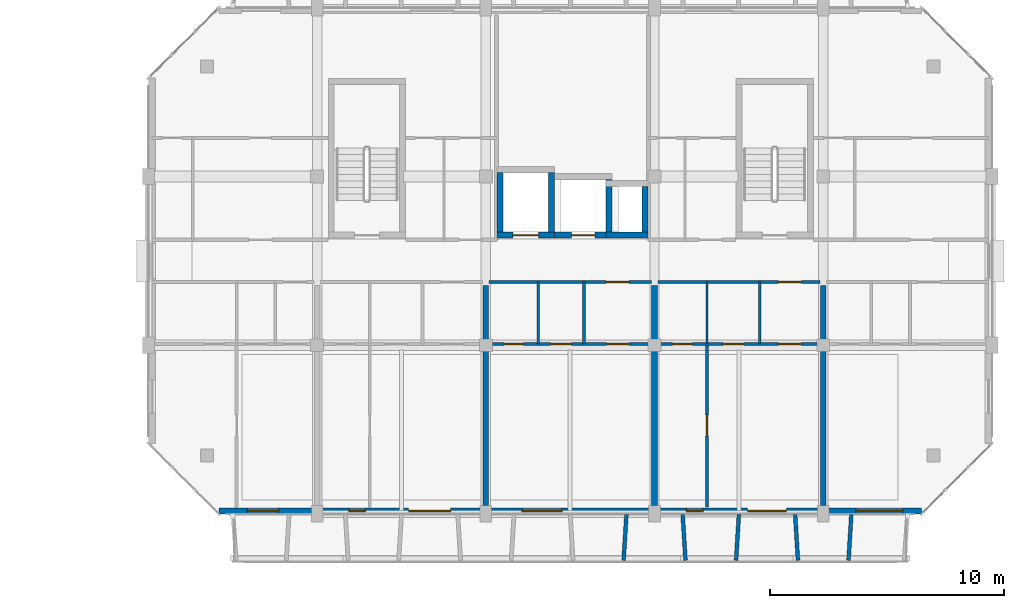
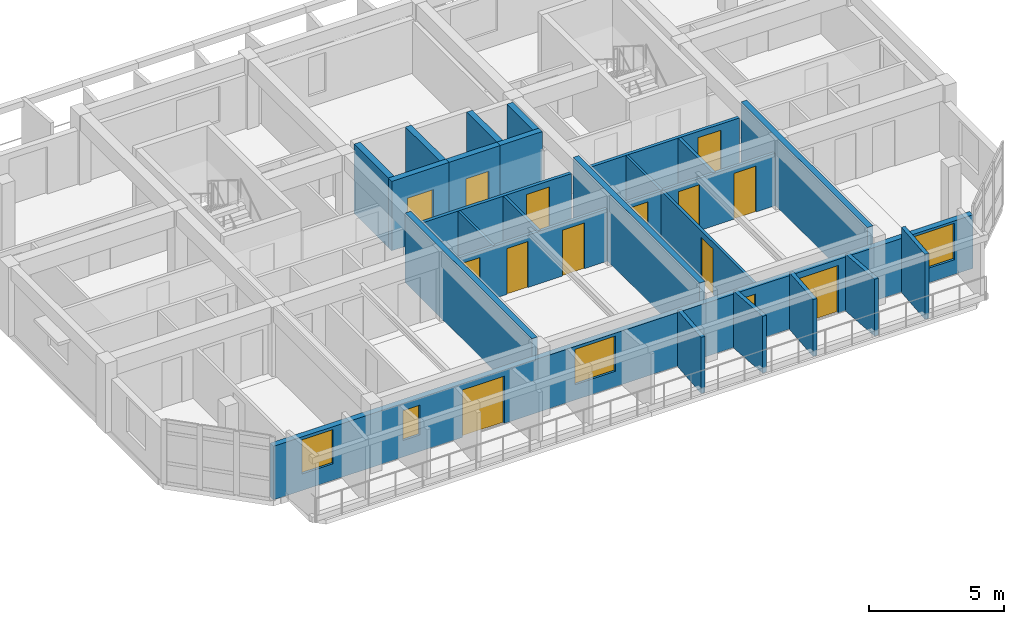
# One storey, part 30 of 51: 25 walls, 13 doors, 5 windows, 18 openings.
"""IFC4 building model written with IfcOpenShell, lengths in metres."""

from ifc_helpers import new_model, si_unit, direction, frame, frame_2d, origin, place, context, subcontext, project, spatial, rectangle, extrude, material, layer, layer_set, type_object, element, fill, save


model = new_model("IFC4")

# Units and contexts
model_context = context("Model", 3, precision=1e-05, world=origin(), true_north=direction((0.0, 1.0)))
body_context = subcontext(model_context, "Body", "Model", "MODEL_VIEW")
ifc_project = project(units=[si_unit("LENGTHUNIT", "METRE"), si_unit("AREAUNIT", "SQUARE_METRE"), si_unit("VOLUMEUNIT", "CUBIC_METRE"), si_unit("PLANEANGLEUNIT", "RADIAN"), si_unit("MASSUNIT", "GRAM", prefix="KILO")], contexts=[model_context])

# Site, building, storey
site_placement = place(None, origin())
site = spatial("IfcSite", under=ifc_project, at=site_placement, CompositionType="ELEMENT")
building_placement = place(site_placement, origin())
building = spatial("IfcBuilding", under=site, at=building_placement, Name="Ochrevale Crest", CompositionType="ELEMENT")
storey_placement = place(building_placement, frame((0.0, 0.0, 11.85009765625)))
storey = spatial("IfcBuildingStorey", under=building, at=storey_placement, Name="L03", CompositionType="ELEMENT", Elevation=11.85009765625)

# Wall, opening, door
ifc_material_1 = material(Name="Gypsum plasterboard", Category="gypsum")
ifc_layer_1 = layer(ifc_material_1, 0.139892578125)
ifc_layer_set_1 = layer_set([ifc_layer_1], Name="Gypsum plasterboard")
wall_type_1 = type_object("IfcWallType", Name="WL-COR-140", PredefinedType="PARTITIONING", material=ifc_layer_set_1)
wall_1_placement = place(storey_placement, frame((144.139892578125, 24.300048828125, 0.0), z_axis=(0.0, 0.0, 1.0), x_axis=(1.0, 0.0, 0.0)))
wall_1 = element("IfcWall", 1, at=wall_1_placement, inside=storey, type_object=wall_type_1, Name="Apartment C-L03-U3 corridor wall", PredefinedType="PARTITIONING", context=body_context, shape_type="SweptSolid", body=[
    extrude(rectangle(XDim=6.920166015625, YDim=0.139892578125, at=frame_2d((3.4599609375, 0.0))), origin(), (0.0, 0.0, 1.0), 2.3798828125),
])
opening_1_placement = place(wall_1_placement, frame((5.97509765625, 0.0, 0.0), z_axis=(0.0, 0.0, 1.0), x_axis=(-1.0, 0.0, 0.0)))
opening_1 = element("IfcOpeningElement", 2, at=opening_1_placement, cuts=wall_1, Name="Opening FD01", PredefinedType="OPENING", context=body_context, shape_type="SweptSolid", body=[
    extrude(rectangle(XDim=0.97998046875, YDim=2.10009765625, at=frame_2d((0.489990234375, 1.050048828125))), frame((0.0, 0.080078125, 0.0), z_axis=(0.0, -1.0, 0.0), x_axis=(1.0, 0.0, 0.0)), (0.0, 0.0, 1.0), 0.159912109375),
])
ifc_material_2 = material(Name="Solid-core FSC hardwood", Category="wood")
door_type_1 = type_object("IfcDoorType", Name="DR-APT-950", OperationType="NOTDEFINED", PredefinedType="DOOR", material=ifc_material_2)
door_1_placement = place(opening_1_placement, origin())
door_1 = element("IfcDoor", 3, at=door_1_placement, inside=storey, type_object=door_type_1, Name="Apartment C-L03-U3 entrance door", OperationType="SINGLE_SWING_RIGHT", OverallHeight=2.10009765625, OverallWidth=0.97998046875, PredefinedType="DOOR", context=body_context, shape_type="SweptSolid", body=[
    extrude(rectangle(XDim=0.97998046875, YDim=2.10009765625, at=frame_2d((0.489990234375, 1.050048828125))), frame((0.0, 0.02490234375, 0.0), z_axis=(0.0, -1.0, 0.0), x_axis=(1.0, 0.0, 0.0)), (0.0, 0.0, 1.0), 0.050048828125),
])
fill(opening_1, door_1)

wall_2_placement = place(storey_placement, frame((151.340087890625, 24.300048828125, 0.0), z_axis=(0.0, 0.0, 1.0), x_axis=(1.0, 0.0, 0.0)))
wall_2 = element("IfcWall", 4, at=wall_2_placement, inside=storey, type_object=wall_type_1, Name="Apartment C-L03-U4 corridor wall", PredefinedType="PARTITIONING", context=body_context, shape_type="SweptSolid", body=[
    extrude(rectangle(XDim=6.919921875, YDim=0.139892578125, at=frame_2d((3.4599609375, 0.0))), origin(), (0.0, 0.0, 1.0), 2.3798828125),
])
opening_2_placement = place(wall_2_placement, frame((6.125, 0.0, 0.0), z_axis=(0.0, 0.0, 1.0), x_axis=(-1.0, 0.0, 0.0)))
opening_2 = element("IfcOpeningElement", 5, at=opening_2_placement, cuts=wall_2, Name="Opening FD01", PredefinedType="OPENING", context=body_context, shape_type="SweptSolid", body=[
    extrude(rectangle(XDim=0.97998046875, YDim=2.10009765625, at=frame_2d((0.489990234375, 1.050048828125))), frame((0.0, 0.080078125, 0.0), z_axis=(0.0, -1.0, 0.0), x_axis=(1.0, 0.0, 0.0)), (0.0, 0.0, 1.0), 0.159912109375),
])
door_2_placement = place(opening_2_placement, origin())
door_2 = element("IfcDoor", 6, at=door_2_placement, inside=storey, type_object=door_type_1, Name="Apartment C-L03-U4 entrance door", OperationType="SINGLE_SWING_RIGHT", OverallHeight=2.10009765625, OverallWidth=0.97998046875, PredefinedType="DOOR", context=body_context, shape_type="SweptSolid", body=[
    extrude(rectangle(XDim=0.97998046875, YDim=2.10009765625, at=frame_2d((0.489990234375, 1.050048828125))), frame((0.0, 0.02490234375, 0.0), z_axis=(0.0, -1.0, 0.0), x_axis=(1.0, 0.0, 0.0)), (0.0, 0.0, 1.0), 0.050048828125),
])
fill(opening_2, door_2)

ifc_material_3 = material(Name="Precast concrete C50/60", Category="concrete")
ifc_layer_2 = layer(ifc_material_3, 0.2548828125)
ifc_layer_set_2 = layer_set([ifc_layer_2], Name="Precast concrete C50/60")
wall_type_2 = type_object("IfcWallType", Name="WL-CORE-255", PredefinedType="SHEAR", material=ifc_layer_set_2)
wall_3_placement = place(storey_placement, frame((144.472412109375, 26.300048828125, 0.0), z_axis=(0.0, 0.0, 1.0), x_axis=(1.0, 0.0, 0.0)))
wall_3 = element("IfcWall", 7, at=wall_3_placement, inside=storey, type_object=wall_type_2, Name="Block C L03 Lift 1 precast shaft shear wall S", PredefinedType="SHEAR", context=body_context, shape_type="SweptSolid", body=[
    extrude(rectangle(XDim=2.455078125, YDim=0.2548828125, at=frame_2d((1.2275390625, 0.0))), origin(), (0.0, 0.0, 1.0), 3.14990234375),
])
opening_3_placement = place(wall_3_placement, frame((0.677490234375, 0.0, 0.0)))
opening_3 = element("IfcOpeningElement", 8, at=opening_3_placement, cuts=wall_3, Name="Opening LD01", PredefinedType="OPENING", context=body_context, shape_type="SweptSolid", body=[
    extrude(rectangle(XDim=1.10009765625, YDim=2.14990234375, at=frame_2d((0.550048828125, 1.074951171875))), frame((0.0, 0.137451171875, 0.0), z_axis=(0.0, -1.0, 0.0), x_axis=(1.0, 0.0, 0.0)), (0.0, 0.0, 1.0), 0.27490234375),
])
door_type_2 = type_object("IfcDoorType", Name="DR-LIFT-1100", OperationType="NOTDEFINED", PredefinedType="DOOR", material=ifc_material_2)
door_3_placement = place(opening_3_placement, origin())
door_3 = element("IfcDoor", 9, at=door_3_placement, inside=storey, type_object=door_type_2, Name="Lift LF-C1 L03 sliding landing door", OperationType="SLIDING_TO_LEFT", OverallHeight=2.14990234375, OverallWidth=1.10009765625, PredefinedType="DOOR", context=body_context, shape_type="SweptSolid", body=[
    extrude(rectangle(XDim=1.10009765625, YDim=2.14990234375, at=frame_2d((0.550048828125, 1.074951171875))), frame((0.0, 0.02490234375, 0.0), z_axis=(0.0, -1.0, 0.0), x_axis=(1.0, 0.0, 0.0)), (0.0, 0.0, 1.0), 0.050048828125),
])
fill(opening_3, door_3)

# Walls
for number, where, z_axis, x_axis, name in (
    (10, (144.60009765625, 26.427490234375, 0.0), (0.0, 0.0, 1.0), (0.0, 1.0, 0.0), "Block C L03 Lift 1 precast shaft shear wall W"),
    (11, (146.800048828125, 26.427490234375, 0.0), (0.0, 0.0, 1.0), (0.0, 1.0, 0.0), "Block C L03 Lift 1 precast shaft shear wall E"),
):
    element("IfcWall", number, at=place(storey_placement, frame(where, z_axis=z_axis, x_axis=x_axis)), inside=storey, type_object=wall_type_2, Name=name, PredefinedType="SHEAR", context=body_context, shape_type="SweptSolid", body=[
        extrude(rectangle(XDim=2.544921875, YDim=0.2548828125, at=frame_2d((1.2724609375, 0.0))), origin(), (0.0, 0.0, 1.0), 3.14990234375),
    ])

# Wall, opening, door
wall_4_placement = place(storey_placement, frame((146.922607421875, 26.300048828125, 0.0), z_axis=(0.0, 0.0, 1.0), x_axis=(1.0, 0.0, 0.0)))
wall_4 = element("IfcWall", 12, at=wall_4_placement, inside=storey, type_object=wall_type_2, Name="Block C L03 Lift 2 precast shaft shear wall S", PredefinedType="SHEAR", context=body_context, shape_type="SweptSolid", body=[
    extrude(rectangle(XDim=2.454833984375, YDim=0.2548828125, at=frame_2d((1.2275390625, 0.0))), origin(), (0.0, 0.0, 1.0), 3.14990234375),
])
opening_4_placement = place(wall_4_placement, frame((0.7275390625, 0.0, 0.0)))
opening_4 = element("IfcOpeningElement", 13, at=opening_4_placement, cuts=wall_4, Name="Opening LD02", PredefinedType="OPENING", context=body_context, shape_type="SweptSolid", body=[
    extrude(rectangle(XDim=1.0, YDim=2.14990234375, at=frame_2d((0.5, 1.074951171875))), frame((0.0, 0.137451171875, 0.0), z_axis=(0.0, -1.0, 0.0), x_axis=(1.0, 0.0, 0.0)), (0.0, 0.0, 1.0), 0.27490234375),
])
door_type_3 = type_object("IfcDoorType", Name="DR-LIFT-1000", OperationType="NOTDEFINED", PredefinedType="DOOR", material=ifc_material_2)
door_4_placement = place(opening_4_placement, origin())
door_4 = element("IfcDoor", 14, at=door_4_placement, inside=storey, type_object=door_type_3, Name="Lift LP-C2 L03 sliding landing door", OperationType="SLIDING_TO_RIGHT", OverallHeight=2.14990234375, OverallWidth=1.0, PredefinedType="DOOR", context=body_context, shape_type="SweptSolid", body=[
    extrude(rectangle(XDim=1.0, YDim=2.14990234375, at=frame_2d((0.5, 1.074951171875))), frame((0.0, 0.02490234375, 0.0), z_axis=(0.0, -1.0, 0.0), x_axis=(1.0, 0.0, 0.0)), (0.0, 0.0, 1.0), 0.050048828125),
])
fill(opening_4, door_4)

# Walls
wall_5_placement = place(storey_placement, frame((149.25, 26.427490234375, 0.0), z_axis=(0.0, 0.0, 1.0), x_axis=(0.0, 1.0, 0.0)))
element("IfcWall", 15, at=wall_5_placement, inside=storey, type_object=wall_type_2, Name="Block C L03 Lift 2 precast shaft shear wall E", PredefinedType="SHEAR", context=body_context, shape_type="SweptSolid", body=[
    extrude(rectangle(XDim=2.2451171875, YDim=0.2548828125, at=frame_2d((1.12255859375, 0.0))), origin(), (0.0, 0.0, 1.0), 3.14990234375),
])
wall_6_placement = place(storey_placement, frame((149.12255859375, 26.300048828125, 0.0), z_axis=(0.0, 0.0, 1.0), x_axis=(1.0, 0.0, 0.0)))
element("IfcWall", 16, at=wall_6_placement, inside=storey, type_object=wall_type_2, Name="Block C L03 services riser shaft core wall S", PredefinedType="SHEAR", context=body_context, shape_type="SweptSolid", body=[
    extrude(rectangle(XDim=1.804931640625, YDim=0.2548828125, at=frame_2d((0.90234375, 0.0))), origin(), (0.0, 0.0, 1.0), 3.14990234375),
])
wall_7_placement = place(storey_placement, frame((150.800048828125, 26.427490234375, 0.0), z_axis=(0.0, 0.0, 1.0), x_axis=(0.0, 1.0, 0.0)))
element("IfcWall", 17, at=wall_7_placement, inside=storey, type_object=wall_type_2, Name="Block C L03 services riser shaft core wall E", PredefinedType="SHEAR", context=body_context, shape_type="SweptSolid", body=[
    extrude(rectangle(XDim=1.945068359375, YDim=0.2548828125, at=frame_2d((0.97265625, 0.0))), origin(), (0.0, 0.0, 1.0), 3.14990234375),
])

# Wall, openings, doors, windows
ifc_material_4 = material(Name="Precast concrete C40/50", Category="concrete")
ifc_layer_3 = layer(ifc_material_4, 0.25)
ifc_layer_set_3 = layer_set([ifc_layer_3], Name="Precast concrete C40/50")
wall_type_3 = type_object("IfcWallType", Name="WL-EXT-GOLD-250", PredefinedType="SOLIDWALL", material=ifc_layer_set_3)
wall_8_placement = place(storey_placement, frame((132.60009765625, 14.52490234375, 0.0), z_axis=(0.0, 0.0, 1.0), x_axis=(1.0, 0.0, 0.0)))
wall_8 = element("IfcWall", 18, at=wall_8_placement, inside=storey, type_object=wall_type_3, Name="Block C L03 external facade wall E1", PredefinedType="SOLIDWALL", context=body_context, shape_type="SweptSolid", body=[
    extrude(rectangle(XDim=30.0, YDim=0.25, at=frame_2d((15.0, 0.0))), origin(), (0.0, 0.0, 1.0), 2.429931640625),
])
opening_5_placement = place(wall_8_placement, frame((9.900146484375, 0.0, 0.0), z_axis=(0.0, 0.0, 1.0), x_axis=(-1.0, 0.0, 0.0)))
opening_5 = element("IfcOpeningElement", 19, at=opening_5_placement, cuts=wall_8, Name="Opening BD03", PredefinedType="OPENING", context=body_context, shape_type="SweptSolid", body=[
    extrude(rectangle(XDim=1.800048828125, YDim=2.14990234375, at=frame_2d((0.89990234375, 1.074951171875))), frame((0.0, 0.135009765625, 0.0), z_axis=(0.0, -1.0, 0.0), x_axis=(1.0, 0.0, 0.0)), (0.0, 0.0, 1.0), 0.27001953125),
])
opening_6_placement = place(wall_8_placement, frame((24.224853515625, 0.0, 0.0), z_axis=(0.0, 0.0, 1.0), x_axis=(-1.0, 0.0, 0.0)))
opening_6 = element("IfcOpeningElement", 20, at=opening_6_placement, cuts=wall_8, Name="Opening BD02", PredefinedType="OPENING", context=body_context, shape_type="SweptSolid", body=[
    extrude(rectangle(XDim=1.64990234375, YDim=2.14990234375, at=frame_2d((0.824951171875, 1.074951171875))), frame((0.0, 0.135009765625, 0.0), z_axis=(0.0, -1.0, 0.0), x_axis=(1.0, 0.0, 0.0)), (0.0, 0.0, 1.0), 0.27001953125),
])
opening_7_placement = place(wall_8_placement, frame((1.215087890625, 0.0, 0.75)))
opening_7 = element("IfcOpeningElement", 21, at=opening_7_placement, cuts=wall_8, Name="Opening W07", PredefinedType="OPENING", context=body_context, shape_type="SweptSolid", body=[
    extrude(rectangle(XDim=1.340087890625, YDim=1.550048828125, at=frame_2d((0.669921875, 0.77490234375))), frame((0.0, 0.135009765625, 0.0), z_axis=(0.0, -1.0, 0.0), x_axis=(1.0, 0.0, 0.0)), (0.0, 0.0, 1.0), 0.27001953125),
])
opening_8_placement = place(wall_8_placement, frame((5.554931640625, 0.0, 0.75)))
opening_8 = element("IfcOpeningElement", 22, at=opening_8_placement, cuts=wall_8, Name="Opening W02", PredefinedType="OPENING", context=body_context, shape_type="SweptSolid", body=[
    extrude(rectangle(XDim=0.719970703125, YDim=1.35009765625, at=frame_2d((0.35986328125, 0.675048828125))), frame((0.0, 0.135009765625, 0.0), z_axis=(0.0, -1.0, 0.0), x_axis=(1.0, 0.0, 0.0)), (0.0, 0.0, 1.0), 0.27001953125),
])
opening_9_placement = place(wall_8_placement, frame((12.93994140625, 0.0, 0.699951171875)))
opening_9 = element("IfcOpeningElement", 23, at=opening_9_placement, cuts=wall_8, Name="Opening W10", PredefinedType="OPENING", context=body_context, shape_type="SweptSolid", body=[
    extrude(rectangle(XDim=1.719970703125, YDim=1.60009765625, at=frame_2d((0.85986328125, 0.800048828125))), frame((0.0, 0.135009765625, 0.0), z_axis=(0.0, -1.0, 0.0), x_axis=(1.0, 0.0, 0.0)), (0.0, 0.0, 1.0), 0.27001953125),
])
opening_10_placement = place(wall_8_placement, frame((19.955078125, 0.0, 0.75)))
opening_10 = element("IfcOpeningElement", 24, at=opening_10_placement, cuts=wall_8, Name="Opening W02", PredefinedType="OPENING", context=body_context, shape_type="SweptSolid", body=[
    extrude(rectangle(XDim=0.719970703125, YDim=1.35009765625, at=frame_2d((0.35986328125, 0.675048828125))), frame((0.0, 0.135009765625, 0.0), z_axis=(0.0, -1.0, 0.0), x_axis=(1.0, 0.0, 0.0)), (0.0, 0.0, 1.0), 0.27001953125),
])
opening_11_placement = place(wall_8_placement, frame((27.199951171875, 0.0, 0.669921875)))
opening_11 = element("IfcOpeningElement", 25, at=opening_11_placement, cuts=wall_8, Name="Opening W12", PredefinedType="OPENING", context=body_context, shape_type="SweptSolid", body=[
    extrude(rectangle(XDim=2.0, YDim=1.64990234375, at=frame_2d((1.0, 0.824951171875))), frame((0.0, 0.135009765625, 0.0), z_axis=(0.0, -1.0, 0.0), x_axis=(1.0, 0.0, 0.0)), (0.0, 0.0, 1.0), 0.27001953125),
])
ifc_material_5 = material(Name="Anodised aluminium 6063-T5 and toughened glass", Category="aluminium")
door_type_4 = type_object("IfcDoorType", Name="DR-BAL-1650", OperationType="NOTDEFINED", PredefinedType="DOOR", material=ifc_material_5)
door_5_placement = place(opening_6_placement, origin())
door_5 = element("IfcDoor", 26, at=door_5_placement, inside=storey, type_object=door_type_4, Name="Block C L03 balcony door S4", OperationType="SINGLE_SWING_LEFT", OverallHeight=2.14990234375, OverallWidth=1.64990234375, PredefinedType="DOOR", context=body_context, shape_type="SweptSolid", body=[
    extrude(rectangle(XDim=1.64990234375, YDim=2.14990234375, at=frame_2d((0.824951171875, 1.074951171875))), frame((0.0, 0.02490234375, 0.0), z_axis=(0.0, -1.0, 0.0), x_axis=(1.0, 0.0, 0.0)), (0.0, 0.0, 1.0), 0.050048828125),
])
fill(opening_6, door_5)
door_type_5 = type_object("IfcDoorType", Name="DR-BAL-1800", OperationType="NOTDEFINED", PredefinedType="DOOR", material=ifc_material_5)
door_6_placement = place(opening_5_placement, origin())
door_6 = element("IfcDoor", 27, at=door_6_placement, inside=storey, type_object=door_type_5, Name="Block C L03 balcony door S2", OperationType="SINGLE_SWING_RIGHT", OverallHeight=2.14990234375, OverallWidth=1.800048828125, PredefinedType="DOOR", context=body_context, shape_type="SweptSolid", body=[
    extrude(rectangle(XDim=1.800048828125, YDim=2.14990234375, at=frame_2d((0.89990234375, 1.074951171875))), frame((0.0, 0.02490234375, 0.0), z_axis=(0.0, -1.0, 0.0), x_axis=(1.0, 0.0, 0.0)), (0.0, 0.0, 1.0), 0.050048828125),
])
fill(opening_5, door_6)
ifc_material_6 = material(Name="Anodised aluminium 6063-T5 and low-E double glazing", Category="aluminium")
window_type_1 = type_object("IfcWindowType", Name="WIN-W02", PartitioningType="SINGLE_PANEL", PredefinedType="WINDOW", material=ifc_material_6)
window_1_placement = place(opening_8_placement, origin())
window_1 = element("IfcWindow", 28, at=window_1_placement, inside=storey, type_object=window_type_1, Name="Block C L03 Apartment C-L03-U2 Twin Bedroom window", OverallHeight=1.35009765625, OverallWidth=0.719970703125, PartitioningType="SINGLE_PANEL", PredefinedType="WINDOW", context=body_context, shape_type="SweptSolid", body=[
    extrude(rectangle(XDim=0.719970703125, YDim=1.35009765625, at=frame_2d((0.35986328125, 0.675048828125))), frame((0.0, 0.030029296875, 0.0), z_axis=(0.0, -1.0, 0.0), x_axis=(1.0, 0.0, 0.0)), (0.0, 0.0, 1.0), 0.06005859375),
])
fill(opening_8, window_1)
window_2_placement = place(opening_10_placement, origin())
window_2 = element("IfcWindow", 29, at=window_2_placement, inside=storey, type_object=window_type_1, Name="Block C L03 Apartment C-L03-U4 Master Bedroom window", OverallHeight=1.35009765625, OverallWidth=0.719970703125, PartitioningType="SINGLE_PANEL", PredefinedType="WINDOW", context=body_context, shape_type="SweptSolid", body=[
    extrude(rectangle(XDim=0.719970703125, YDim=1.35009765625, at=frame_2d((0.35986328125, 0.675048828125))), frame((0.0, 0.030029296875, 0.0), z_axis=(0.0, -1.0, 0.0), x_axis=(1.0, 0.0, 0.0)), (0.0, 0.0, 1.0), 0.06005859375),
])
fill(opening_10, window_2)
window_type_2 = type_object("IfcWindowType", Name="WIN-W07", PartitioningType="SINGLE_PANEL", PredefinedType="WINDOW", material=ifc_material_6)
window_3_placement = place(opening_7_placement, origin())
window_3 = element("IfcWindow", 30, at=window_3_placement, inside=storey, type_object=window_type_2, Name="Block C L03 Apartment C-L03-U1 One Bedroom Living Room window", OverallHeight=1.550048828125, OverallWidth=1.340087890625, PartitioningType="SINGLE_PANEL", PredefinedType="WINDOW", context=body_context, shape_type="SweptSolid", body=[
    extrude(rectangle(XDim=1.340087890625, YDim=1.550048828125, at=frame_2d((0.669921875, 0.77490234375))), frame((0.0, 0.030029296875, 0.0), z_axis=(0.0, -1.0, 0.0), x_axis=(1.0, 0.0, 0.0)), (0.0, 0.0, 1.0), 0.06005859375),
])
fill(opening_7, window_3)
window_type_3 = type_object("IfcWindowType", Name="WIN-W10", PartitioningType="SINGLE_PANEL", PredefinedType="WINDOW", material=ifc_material_6)
window_4_placement = place(opening_9_placement, origin())
window_4 = element("IfcWindow", 31, at=window_4_placement, inside=storey, type_object=window_type_3, Name="Block C L03 Studio C-L03-U3 Living Room window", OverallHeight=1.60009765625, OverallWidth=1.719970703125, PartitioningType="SINGLE_PANEL", PredefinedType="WINDOW", context=body_context, shape_type="SweptSolid", body=[
    extrude(rectangle(XDim=1.719970703125, YDim=1.60009765625, at=frame_2d((0.85986328125, 0.800048828125))), frame((0.0, 0.030029296875, 0.0), z_axis=(0.0, -1.0, 0.0), x_axis=(1.0, 0.0, 0.0)), (0.0, 0.0, 1.0), 0.06005859375),
])
fill(opening_9, window_4)
window_type_4 = type_object("IfcWindowType", Name="WIN-W12", PartitioningType="SINGLE_PANEL", PredefinedType="WINDOW", material=ifc_material_6)
window_5_placement = place(opening_11_placement, origin())
window_5 = element("IfcWindow", 32, at=window_5_placement, inside=storey, type_object=window_type_4, Name="Block C L03 Studio C-L03-U5 Living Room window", OverallHeight=1.64990234375, OverallWidth=2.0, PartitioningType="SINGLE_PANEL", PredefinedType="WINDOW", context=body_context, shape_type="SweptSolid", body=[
    extrude(rectangle(XDim=2.0, YDim=1.64990234375, at=frame_2d((1.0, 0.824951171875))), frame((0.0, 0.030029296875, 0.0), z_axis=(0.0, -1.0, 0.0), x_axis=(1.0, 0.0, 0.0)), (0.0, 0.0, 1.0), 0.06005859375),
])
fill(opening_11, window_5)

# Walls
ifc_layer_4 = layer(ifc_material_4, 0.1650390625)
ifc_layer_set_4 = layer_set([ifc_layer_4], Name="Precast concrete C40/50")
wall_type_4 = type_object("IfcWallType", Name="WL-HC-CHEEK-165", PredefinedType="ELEMENTEDWALL", material=ifc_layer_set_4)
wall_9_placement = place(storey_placement, frame((150.0, 14.3798828125, 0.0), z_axis=(0.0, 0.0, 1.0), x_axis=(-0.061170732449, -0.998127317276, 0.0)))
element("IfcWall", 33, at=wall_9_placement, inside=storey, type_object=wall_type_4, Name="Block C L03 S precast honeycomb cheek 8", PredefinedType="ELEMENTEDWALL", context=body_context, shape_type="SweptSolid", body=[
    extrude(rectangle(XDim=1.963623046875, YDim=0.1650390625, at=frame_2d((0.98193359375, 0.0))), origin(), (0.0, 0.0, 1.0), 2.5498046875),
])
for number, where, z_axis, x_axis, name in (
    (34, (152.39990234375, 14.3798828125, 0.0), (0.0, 0.0, 1.0), (0.061170732449, -0.998127317276, 0.0), "Block C L03 S precast honeycomb cheek 9"),
    (35, (154.800048828125, 14.3798828125, 0.0), (0.0, 0.0, 1.0), (-0.061170732449, -0.998127317276, 0.0), "Block C L03 S precast honeycomb cheek 10"),
    (36, (157.199951171875, 14.3798828125, 0.0), (0.0, 0.0, 1.0), (0.061170732449, -0.998127317276, 0.0), "Block C L03 S precast honeycomb cheek 11"),
):
    element("IfcWall", number, at=place(storey_placement, frame(where, z_axis=z_axis, x_axis=x_axis)), inside=storey, type_object=wall_type_4, Name=name, PredefinedType="ELEMENTEDWALL", context=body_context, shape_type="SweptSolid", body=[
        extrude(rectangle(XDim=1.963623046875, YDim=0.1650390625, at=frame_2d((0.98193359375, 0.0))), origin(), (0.0, 0.0, 1.0), 2.579833984375),
    ])
wall_10_placement = place(storey_placement, frame((159.60009765625, 14.3798828125, 0.0), z_axis=(0.0, 0.0, 1.0), x_axis=(-0.061170732449, -0.998127317276, 0.0)))
element("IfcWall", 37, at=wall_10_placement, inside=storey, type_object=wall_type_4, Name="Block C L03 S precast honeycomb cheek 12", PredefinedType="ELEMENTEDWALL", context=body_context, shape_type="SweptSolid", body=[
    extrude(rectangle(XDim=1.963623046875, YDim=0.1650390625, at=frame_2d((0.98193359375, 0.0))), origin(), (0.0, 0.0, 1.0), 2.949951171875),
])
ifc_layer_5 = layer(ifc_material_1, 0.1201171875)
ifc_layer_set_5 = layer_set([ifc_layer_5], Name="Gypsum plasterboard")
wall_type_5 = type_object("IfcWallType", Name="WL-PART-120", PredefinedType="PARTITIONING", material=ifc_layer_set_5)
wall_11_placement = place(storey_placement, frame((148.18994140625, 21.64990234375, 0.0), z_axis=(0.0, 0.0, 1.0), x_axis=(0.0, 1.0, 0.0)))
element("IfcWall", 38, at=wall_11_placement, inside=storey, type_object=wall_type_5, Name="Apartment C-L03-U3 kitchen-foyer wall", PredefinedType="PARTITIONING", context=body_context, shape_type="SweptSolid", body=[
    extrude(rectangle(XDim=2.650146484375, YDim=0.1201171875, at=frame_2d((1.3251953125, 0.0))), origin(), (0.0, 0.0, 1.0), 2.375),
])

# Wall, openings, doors
wall_12_placement = place(storey_placement, frame((144.139892578125, 21.64990234375, 0.0), z_axis=(0.0, 0.0, 1.0), x_axis=(1.0, 0.0, 0.0)))
wall_12 = element("IfcWall", 39, at=wall_12_placement, inside=storey, type_object=wall_type_5, Name="Apartment C-L03-U3 central partition", PredefinedType="PARTITIONING", context=body_context, shape_type="SweptSolid", body=[
    extrude(rectangle(XDim=6.920166015625, YDim=0.1201171875, at=frame_2d((3.4599609375, 0.0))), origin(), (0.0, 0.0, 1.0), 2.375),
])
opening_12_placement = place(wall_12_placement, frame((0.625, 0.0, 0.0)))
opening_12 = element("IfcOpeningElement", 40, at=opening_12_placement, cuts=wall_12, Name="Opening ID01", PredefinedType="OPENING", context=body_context, shape_type="SweptSolid", body=[
    extrude(rectangle(XDim=0.85009765625, YDim=2.080078125, at=frame_2d((0.425048828125, 1.0400390625))), frame((0.0, 0.070068359375, 0.0), z_axis=(0.0, -1.0, 0.0), x_axis=(1.0, 0.0, 0.0)), (0.0, 0.0, 1.0), 0.14013671875),
])
opening_13_placement = place(wall_12_placement, frame((3.52490234375, 0.0, 0.0), z_axis=(0.0, 0.0, 1.0), x_axis=(-1.0, 0.0, 0.0)))
opening_13 = element("IfcOpeningElement", 41, at=opening_13_placement, cuts=wall_12, Name="Opening ID02", PredefinedType="OPENING", context=body_context, shape_type="SweptSolid", body=[
    extrude(rectangle(XDim=0.89990234375, YDim=2.080078125, at=frame_2d((0.449951171875, 1.0400390625))), frame((0.0, 0.070068359375, 0.0), z_axis=(0.0, -1.0, 0.0), x_axis=(1.0, 0.0, 0.0)), (0.0, 0.0, 1.0), 0.14013671875),
])
opening_14_placement = place(wall_12_placement, frame((5.010009765625, 0.0, 0.0)))
opening_14 = element("IfcOpeningElement", 42, at=opening_14_placement, cuts=wall_12, Name="Opening ID06", PredefinedType="OPENING", context=body_context, shape_type="SweptSolid", body=[
    extrude(rectangle(XDim=0.949951171875, YDim=2.080078125, at=frame_2d((0.47509765625, 1.0400390625))), frame((0.0, 0.070068359375, 0.0), z_axis=(0.0, -1.0, 0.0), x_axis=(1.0, 0.0, 0.0)), (0.0, 0.0, 1.0), 0.14013671875),
])
door_type_6 = type_object("IfcDoorType", Name="DR-INT-900", OperationType="NOTDEFINED", PredefinedType="DOOR", material=ifc_material_2)
door_7_placement = place(opening_13_placement, origin())
door_7 = element("IfcDoor", 43, at=door_7_placement, inside=storey, type_object=door_type_6, Name="Apartment C-L03-U3 Kitchen door", OperationType="SINGLE_SWING_RIGHT", OverallHeight=2.080078125, OverallWidth=0.89990234375, PredefinedType="DOOR", context=body_context, shape_type="SweptSolid", body=[
    extrude(rectangle(XDim=0.89990234375, YDim=2.080078125, at=frame_2d((0.449951171875, 1.0400390625))), frame((0.0, 0.02490234375, 0.0), z_axis=(0.0, -1.0, 0.0), x_axis=(1.0, 0.0, 0.0)), (0.0, 0.0, 1.0), 0.050048828125),
])
fill(opening_13, door_7)
door_type_7 = type_object("IfcDoorType", Name="DR-INT-950", OperationType="NOTDEFINED", PredefinedType="DOOR", material=ifc_material_2)
door_8_placement = place(opening_14_placement, origin())
door_8 = element("IfcDoor", 44, at=door_8_placement, inside=storey, type_object=door_type_7, Name="Apartment C-L03-U3 Living Foyer door", OperationType="SINGLE_SWING_LEFT", OverallHeight=2.080078125, OverallWidth=0.949951171875, PredefinedType="DOOR", context=body_context, shape_type="SweptSolid", body=[
    extrude(rectangle(XDim=0.949951171875, YDim=2.080078125, at=frame_2d((0.47509765625, 1.0400390625))), frame((0.0, 0.02490234375, 0.0), z_axis=(0.0, -1.0, 0.0), x_axis=(1.0, 0.0, 0.0)), (0.0, 0.0, 1.0), 0.050048828125),
])
fill(opening_14, door_8)
door_type_8 = type_object("IfcDoorType", Name="DR-WC-850", OperationType="NOTDEFINED", PredefinedType="DOOR", material=ifc_material_2)
door_9_placement = place(opening_12_placement, origin())
door_9 = element("IfcDoor", 45, at=door_9_placement, inside=storey, type_object=door_type_8, Name="Apartment C-L03-U3 Bathroom door", OperationType="SINGLE_SWING_LEFT", OverallHeight=2.080078125, OverallWidth=0.85009765625, PredefinedType="DOOR", context=body_context, shape_type="SweptSolid", body=[
    extrude(rectangle(XDim=0.85009765625, YDim=2.080078125, at=frame_2d((0.425048828125, 1.0400390625))), frame((0.0, 0.02490234375, 0.0), z_axis=(0.0, -1.0, 0.0), x_axis=(1.0, 0.0, 0.0)), (0.0, 0.0, 1.0), 0.050048828125),
])
fill(opening_12, door_9)

# Wall
wall_13_placement = place(storey_placement, frame((155.68994140625, 21.64990234375, 0.0), z_axis=(0.0, 0.0, 1.0), x_axis=(0.0, 1.0, 0.0)))
element("IfcWall", 46, at=wall_13_placement, inside=storey, type_object=wall_type_5, Name="Apartment C-L03-U4 kitchen-foyer wall", PredefinedType="PARTITIONING", context=body_context, shape_type="SweptSolid", body=[
    extrude(rectangle(XDim=2.650146484375, YDim=0.1201171875, at=frame_2d((1.3251953125, 0.0))), origin(), (0.0, 0.0, 1.0), 2.375),
])

# Wall, openings, doors
wall_14_placement = place(storey_placement, frame((151.340087890625, 21.64990234375, 0.0), z_axis=(0.0, 0.0, 1.0), x_axis=(1.0, 0.0, 0.0)))
wall_14 = element("IfcWall", 47, at=wall_14_placement, inside=storey, type_object=wall_type_5, Name="Apartment C-L03-U4 central partition", PredefinedType="PARTITIONING", context=body_context, shape_type="SweptSolid", body=[
    extrude(rectangle(XDim=6.919921875, YDim=0.1201171875, at=frame_2d((3.4599609375, 0.0))), origin(), (0.0, 0.0, 1.0), 2.375),
])
opening_15_placement = place(wall_14_placement, frame((0.625, 0.0, 0.0)))
opening_15 = element("IfcOpeningElement", 48, at=opening_15_placement, cuts=wall_14, Name="Opening ID01", PredefinedType="OPENING", context=body_context, shape_type="SweptSolid", body=[
    extrude(rectangle(XDim=0.85009765625, YDim=2.080078125, at=frame_2d((0.425048828125, 1.0400390625))), frame((0.0, 0.070068359375, 0.0), z_axis=(0.0, -1.0, 0.0), x_axis=(1.0, 0.0, 0.0)), (0.0, 0.0, 1.0), 0.14013671875),
])
opening_16_placement = place(wall_14_placement, frame((3.6748046875, 0.0, 0.0), z_axis=(0.0, 0.0, 1.0), x_axis=(-1.0, 0.0, 0.0)))
opening_16 = element("IfcOpeningElement", 49, at=opening_16_placement, cuts=wall_14, Name="Opening ID02", PredefinedType="OPENING", context=body_context, shape_type="SweptSolid", body=[
    extrude(rectangle(XDim=0.89990234375, YDim=2.080078125, at=frame_2d((0.449951171875, 1.0400390625))), frame((0.0, 0.070068359375, 0.0), z_axis=(0.0, -1.0, 0.0), x_axis=(1.0, 0.0, 0.0)), (0.0, 0.0, 1.0), 0.14013671875),
])
opening_17_placement = place(wall_14_placement, frame((5.159912109375, 0.0, 0.0)))
opening_17 = element("IfcOpeningElement", 50, at=opening_17_placement, cuts=wall_14, Name="Opening ID06", PredefinedType="OPENING", context=body_context, shape_type="SweptSolid", body=[
    extrude(rectangle(XDim=0.949951171875, YDim=2.080078125, at=frame_2d((0.47509765625, 1.0400390625))), frame((0.0, 0.070068359375, 0.0), z_axis=(0.0, -1.0, 0.0), x_axis=(1.0, 0.0, 0.0)), (0.0, 0.0, 1.0), 0.14013671875),
])
door_10_placement = place(opening_16_placement, origin())
door_10 = element("IfcDoor", 51, at=door_10_placement, inside=storey, type_object=door_type_6, Name="Apartment C-L03-U4 Kitchen door", OperationType="SINGLE_SWING_RIGHT", OverallHeight=2.080078125, OverallWidth=0.89990234375, PredefinedType="DOOR", context=body_context, shape_type="SweptSolid", body=[
    extrude(rectangle(XDim=0.89990234375, YDim=2.080078125, at=frame_2d((0.449951171875, 1.0400390625))), frame((0.0, 0.02490234375, 0.0), z_axis=(0.0, -1.0, 0.0), x_axis=(1.0, 0.0, 0.0)), (0.0, 0.0, 1.0), 0.050048828125),
])
fill(opening_16, door_10)
door_11_placement = place(opening_17_placement, origin())
door_11 = element("IfcDoor", 52, at=door_11_placement, inside=storey, type_object=door_type_7, Name="Apartment C-L03-U4 Living Foyer door", OperationType="SINGLE_SWING_LEFT", OverallHeight=2.080078125, OverallWidth=0.949951171875, PredefinedType="DOOR", context=body_context, shape_type="SweptSolid", body=[
    extrude(rectangle(XDim=0.949951171875, YDim=2.080078125, at=frame_2d((0.47509765625, 1.0400390625))), frame((0.0, 0.02490234375, 0.0), z_axis=(0.0, -1.0, 0.0), x_axis=(1.0, 0.0, 0.0)), (0.0, 0.0, 1.0), 0.050048828125),
])
fill(opening_17, door_11)
door_12_placement = place(opening_15_placement, origin())
door_12 = element("IfcDoor", 53, at=door_12_placement, inside=storey, type_object=door_type_8, Name="Apartment C-L03-U4 Bathroom door", OperationType="SINGLE_SWING_LEFT", OverallHeight=2.080078125, OverallWidth=0.85009765625, PredefinedType="DOOR", context=body_context, shape_type="SweptSolid", body=[
    extrude(rectangle(XDim=0.85009765625, YDim=2.080078125, at=frame_2d((0.425048828125, 1.0400390625))), frame((0.0, 0.02490234375, 0.0), z_axis=(0.0, -1.0, 0.0), x_axis=(1.0, 0.0, 0.0)), (0.0, 0.0, 1.0), 0.050048828125),
])
fill(opening_15, door_12)

# Wall, opening, door
wall_15_placement = place(storey_placement, frame((153.43994140625, 14.699951171875, 0.0), z_axis=(0.0, 0.0, 1.0), x_axis=(0.0, 1.0, 0.0)))
wall_15 = element("IfcWall", 54, at=wall_15_placement, inside=storey, type_object=wall_type_5, Name="Apartment C-L03-U4 bedroom partition", PredefinedType="PARTITIONING", context=body_context, shape_type="SweptSolid", body=[
    extrude(rectangle(XDim=6.949951171875, YDim=0.1201171875, at=frame_2d((3.47509765625, 0.0))), origin(), (0.0, 0.0, 1.0), 2.375),
])
opening_18_placement = place(wall_15_placement, frame((3.9248046875, 0.0, 0.0), z_axis=(0.0, 0.0, 1.0), x_axis=(-1.0, 0.0, 0.0)))
opening_18 = element("IfcOpeningElement", 55, at=opening_18_placement, cuts=wall_15, Name="Opening ID02", PredefinedType="OPENING", context=body_context, shape_type="SweptSolid", body=[
    extrude(rectangle(XDim=0.89990234375, YDim=2.080078125, at=frame_2d((0.449951171875, 1.0400390625))), frame((0.0, 0.070068359375, 0.0), z_axis=(0.0, -1.0, 0.0), x_axis=(1.0, 0.0, 0.0)), (0.0, 0.0, 1.0), 0.14013671875),
])
door_13_placement = place(opening_18_placement, origin())
door_13 = element("IfcDoor", 56, at=door_13_placement, inside=storey, type_object=door_type_6, Name="Apartment C-L03-U4 Master Bedroom door", OperationType="SINGLE_SWING_RIGHT", OverallHeight=2.080078125, OverallWidth=0.89990234375, PredefinedType="DOOR", context=body_context, shape_type="SweptSolid", body=[
    extrude(rectangle(XDim=0.89990234375, YDim=2.080078125, at=frame_2d((0.449951171875, 1.0400390625))), frame((0.0, 0.02490234375, 0.0), z_axis=(0.0, -1.0, 0.0), x_axis=(1.0, 0.0, 0.0)), (0.0, 0.0, 1.0), 0.050048828125),
])
fill(opening_18, door_13)

# Walls
ifc_layer_6 = layer(ifc_material_3, 0.239990234375)
ifc_layer_set_6 = layer_set([ifc_layer_6], Name="Precast concrete C50/60")
wall_type_6 = type_object("IfcWallType", Name="WL-SHEAR-240", PredefinedType="SHEAR", material=ifc_layer_set_6)
for number, where, z_axis, x_axis, name in (
    (57, (144.0, 14.75, 0.0), (0.0, 0.0, 1.0), (0.0, 1.0, 0.0), "Block C L03 load-bearing precast cross-wall X=144.0"),
    (58, (151.199951171875, 14.75, 0.0), (0.0, 0.0, 1.0), (0.0, 1.0, 0.0), "Block C L03 load-bearing precast cross-wall X=151.2"),
    (59, (158.39990234375, 14.75, 0.0), (0.0, 0.0, 1.0), (0.0, 1.0, 0.0), "Block C L03 load-bearing precast cross-wall X=158.4"),
):
    element("IfcWall", number, at=place(storey_placement, frame(where, z_axis=z_axis, x_axis=x_axis)), inside=storey, type_object=wall_type_6, Name=name, PredefinedType="SHEAR", context=body_context, shape_type="SweptSolid", body=[
        extrude(rectangle(XDim=9.39990234375, YDim=0.239990234375, at=frame_2d((4.699951171875, 0.0))), origin(), (0.0, 0.0, 1.0), 3.14990234375),
    ])
ifc_layer_7 = layer(ifc_material_1, 0.10009765625)
ifc_layer_set_7 = layer_set([ifc_layer_7], Name="Gypsum plasterboard")
wall_type_7 = type_object("IfcWallType", Name="WL-WET-100", PredefinedType="PARTITIONING", material=ifc_layer_set_7)
for number, where, z_axis, x_axis, name in (
    (60, (146.239990234375, 21.64990234375, 0.0), (0.0, 0.0, 1.0), (0.0, 1.0, 0.0), "Apartment C-L03-U3 bath-kitchen wall"),
    (61, (153.43994140625, 21.64990234375, 0.0), (0.0, 0.0, 1.0), (0.0, 1.0, 0.0), "Apartment C-L03-U4 bath-kitchen wall"),
):
    element("IfcWall", number, at=place(storey_placement, frame(where, z_axis=z_axis, x_axis=x_axis)), inside=storey, type_object=wall_type_7, Name=name, PredefinedType="PARTITIONING", context=body_context, shape_type="SweptSolid", body=[
        extrude(rectangle(XDim=2.650146484375, YDim=0.10009765625, at=frame_2d((1.3251953125, 0.0))), origin(), (0.0, 0.0, 1.0), 2.375),
    ])

save(model, "model.ifc")
